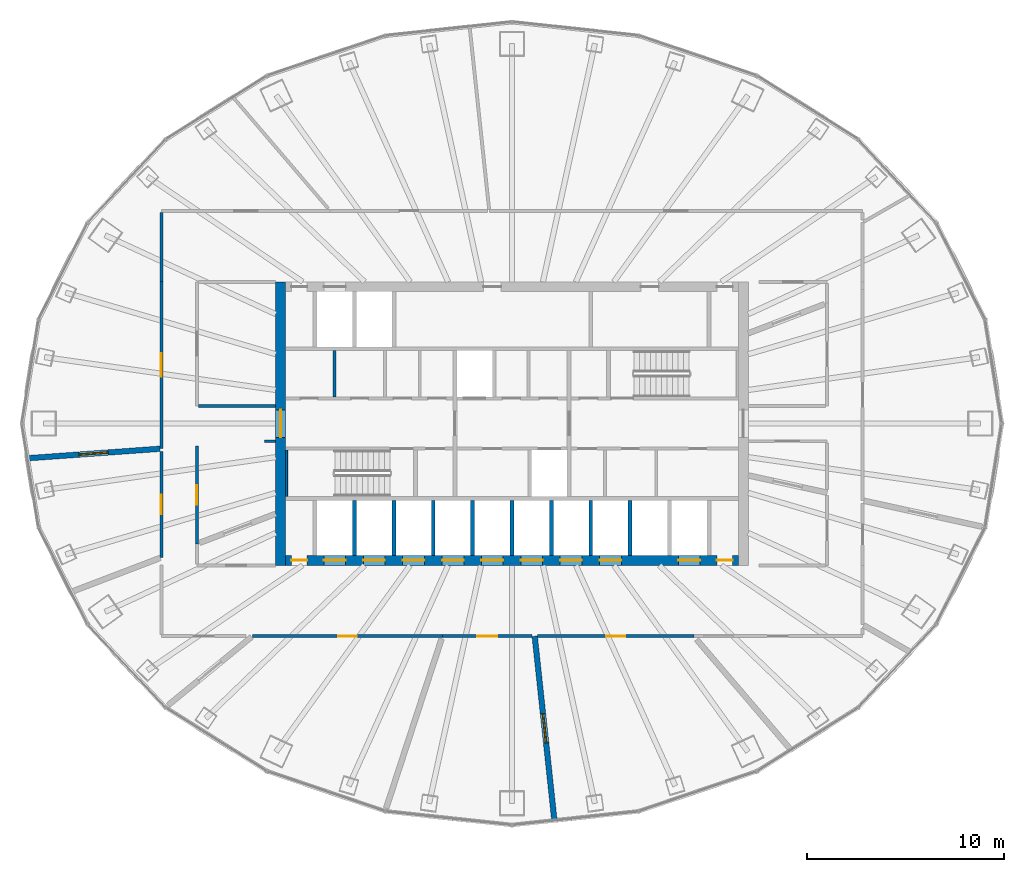
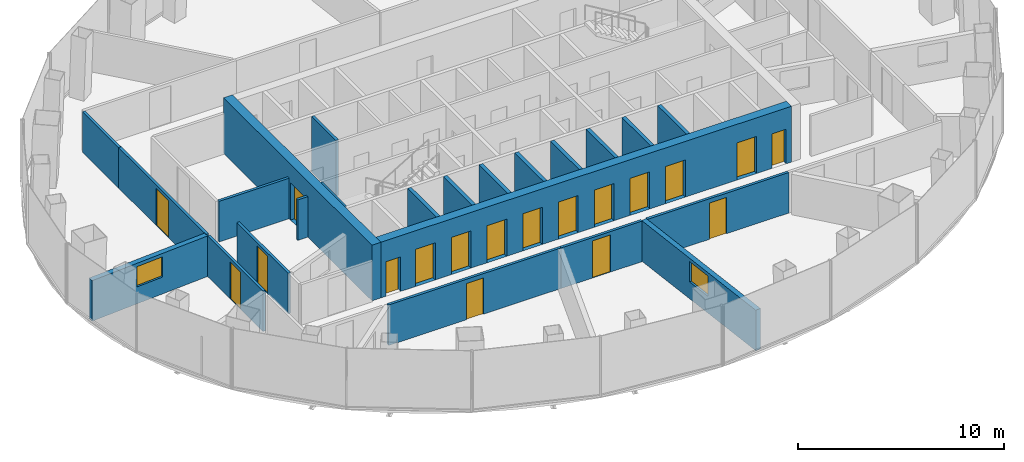
# One storey, part 8 of 12: 23 walls, 18 doors, 2 windows, 20 openings.
"""IFC4 building model written with IfcOpenShell, lengths in metres."""

import ifcopenshell
import ifcopenshell.guid

model = None  # the IFC model being written
_history = None  # IfcOwnerHistory: only IFC2X3 demands one
_inside = {}  # id of a spatial element -> (the spatial element, [elements in it])
_under = {}  # id of a project, library or spatial element -> (it, [spatial elements below it])
_declared = {}  # id of a project -> (the project, [libraries it declares])
_typed = {}  # id of a type object -> (the type object, [elements of that type])
_made_of = {}  # id of a material, layer set ... -> (it, [elements and type objects made of it])


def new_model(schema):
    """Start an empty IFC model of exactly this schema.

    Asked for "IFC4X3", IfcOpenShell would pick the latest addendum, in which some entities
    have other attributes; the version numbers below select the first issue.
    IFC2X3 requires an IfcOwnerHistory on every rooted entity: one is made here for all.
    """
    global model, _history
    if schema == "IFC4X3":
        model = ifcopenshell.file(schema_version=(4, 3, 0, 0))
    else:
        model = ifcopenshell.file(schema=schema)
    _inside.clear()
    _under.clear()
    _declared.clear()
    _typed.clear()
    _made_of.clear()
    _history = None
    if model.schema == "IFC2X3":
        org = make("IfcOrganization", Name="unknown")
        user = make(
            "IfcPersonAndOrganization",
            ThePerson=make("IfcPerson", FamilyName="unknown"),
            TheOrganization=org,
        )
        app = make(
            "IfcApplication",
            ApplicationDeveloper=org,
            Version="unknown",
            ApplicationFullName="unknown",
            ApplicationIdentifier="unknown",
        )
        _history = make(
            "IfcOwnerHistory",
            OwningUser=user,
            OwningApplication=app,
            ChangeAction="ADDED",
            CreationDate=0,
        )
    return model


def make(cls, **values):
    """One entity of the class cls with the attributes given. An attribute that is None is left unset."""
    return model.create_entity(
        cls, **{name: value for name, value in values.items() if value is not None}
    )


def rooted(cls, **values):
    """An entity with a GlobalId (a new one), such as an element, a storey or a relation."""
    return make(cls, GlobalId=ifcopenshell.guid.new(), OwnerHistory=_history, **values)


def si_unit(unit_type, name, prefix=None):
    """IfcSIUnit, for example si_unit("LENGTHUNIT", "METRE", prefix="MILLI")."""
    return make("IfcSIUnit", UnitType=unit_type, Prefix=prefix, Name=name)


def assignment(units):
    """IfcUnitAssignment: the units of a project."""
    return None if units is None else make("IfcUnitAssignment", Units=units)


def point(xyz):
    """IfcCartesianPoint."""
    return None if xyz is None else make("IfcCartesianPoint", Coordinates=xyz)


def direction(xyz):
    """IfcDirection."""
    return None if xyz is None else make("IfcDirection", DirectionRatios=xyz)


def frame(location, z_axis=None, x_axis=None):
    """IfcAxis2Placement3D, a coordinate frame: its origin and axes. An axis left out is left unset."""
    return make(
        "IfcAxis2Placement3D",
        Location=point(location),
        Axis=direction(z_axis),
        RefDirection=direction(x_axis),
    )


def frame_2d(location, x_axis=None):
    """IfcAxis2Placement2D, a coordinate frame in the plane: its origin and x axis."""
    return make(
        "IfcAxis2Placement2D", Location=point(location), RefDirection=direction(x_axis)
    )


def origin():
    """The frame at (0, 0, 0) with its axes left unset."""
    return frame((0.0, 0.0, 0.0))


def place(relative_to, where):
    """IfcLocalPlacement: puts the frame where relative to a parent placement (None: the world)."""
    return make(
        "IfcLocalPlacement", PlacementRelTo=relative_to, RelativePlacement=where
    )


def context(
    kind, dimensions, precision=None, world=None, true_north=None, identifier=None
):
    """IfcGeometricRepresentationContext, for example the 3D "Model" context."""
    return make(
        "IfcGeometricRepresentationContext",
        ContextIdentifier=identifier,
        ContextType=kind,
        CoordinateSpaceDimension=dimensions,
        Precision=precision,
        WorldCoordinateSystem=world,
        TrueNorth=true_north,
    )


def subcontext(parent, identifier, kind, view, scale=None):
    """IfcGeometricRepresentationSubContext, for example "Body" below "Model"."""
    return make(
        "IfcGeometricRepresentationSubContext",
        ContextIdentifier=identifier,
        ContextType=kind,
        ParentContext=parent,
        TargetScale=scale,
        TargetView=view,
    )


def project(units=None, contexts=None):
    """IfcProject with its units and contexts."""
    return rooted(
        "IfcProject",
        Name="project",
        RepresentationContexts=contexts,
        UnitsInContext=assignment(units),
    )


def spatial(cls, under=None, at=None, **own):
    """A site, building, storey or space (cls), placed at a placement, below another one or the project."""
    s = rooted(cls, ObjectPlacement=at, **own)
    if under is not None:
        _under.setdefault(under.id(), (under, []))[1].append(s)
    return s


def profile(cls, at=None, kind="AREA", **sizes):
    """A parametric profile (cls). Its sizes go by their IFC names, for example OverallWidth=200.0."""
    return make(cls, ProfileType=kind, Position=at, **sizes)


def rectangle(**sizes):
    """IfcRectangleProfileDef."""
    return profile("IfcRectangleProfileDef", **sizes)


def extrude(swept, where, along, depth):
    """IfcExtrudedAreaSolid: the profile swept, set in the frame where, extruded along a direction by depth."""
    return make(
        "IfcExtrudedAreaSolid",
        SweptArea=swept,
        Position=where,
        ExtrudedDirection=direction(along),
        Depth=depth,
    )


def shape(context_of_items, identifier, shape_type, items):
    """IfcShapeRepresentation: the items that make up one representation, for example the "Body"."""
    return make(
        "IfcShapeRepresentation",
        ContextOfItems=context_of_items,
        RepresentationIdentifier=identifier,
        RepresentationType=shape_type,
        Items=items,
    )


def material(Name=None, Category=None):
    """IfcMaterial."""
    return make("IfcMaterial", Name=Name, Category=Category)


def layer(
    of_material, thickness, ventilated=None, Name=None, Category=None, Priority=None
):
    """IfcMaterialLayer: one layer of a wall or slab, of a material (None: an air gap)."""
    return make(
        "IfcMaterialLayer",
        Material=of_material,
        LayerThickness=thickness,
        IsVentilated=ventilated,
        Name=Name,
        Category=Category,
        Priority=Priority,
    )


def layer_set(layers, Name=None):
    """IfcMaterialLayerSet."""
    return make("IfcMaterialLayerSet", MaterialLayers=layers, LayerSetName=Name)


def made_of(thing, what):
    """Note that an element or type object is made of a material, layer set ...; save() writes the relation."""
    if what is not None:
        _made_of.setdefault(what.id(), (what, []))[1].append(thing)
    return thing


def type_object(cls, material=None, **own):
    """A type object (cls), such as IfcWallType, which elements share."""
    return made_of(rooted(cls, **own), material)


def element(
    cls,
    number,
    at=None,
    inside=None,
    cuts=None,
    type_object=None,
    material=None,
    context=None,
    identifier="Body",
    shape_type=None,
    held_by="IfcProductDefinitionShape",
    body=None,
    shapes=None,
    **own,
):
    """One element of the class cls, such as IfcWall. Its Tag is "e" and its number.

    at: its placement. inside: the storey or other place that contains it. cuts: it is an
    opening in that element (IfcRelVoidsElement). A single representation is given by context,
    identifier, shape_type and body (its items); several are given by shapes. held_by: the class
    of the entity that holds the representations. save() writes the other relations.
    """
    e = rooted(cls, Tag="e%d" % number, ObjectPlacement=at, **own)
    if body is not None:
        shapes = [shape(context, identifier, shape_type, body)]
    if shapes is not None:
        e.Representation = make(held_by, Representations=shapes)
    if inside is not None:
        _inside.setdefault(inside.id(), (inside, []))[1].append(e)
    if cuts is not None:
        rooted(
            "IfcRelVoidsElement", RelatingBuildingElement=cuts, RelatedOpeningElement=e
        )
    if type_object is not None:
        _typed.setdefault(type_object.id(), (type_object, []))[1].append(e)
    return made_of(e, material)


def fill(opening, filler):
    """IfcRelFillsElement: the door or window that sits in an opening."""
    return rooted(
        "IfcRelFillsElement",
        RelatingOpeningElement=opening,
        RelatedBuildingElement=filler,
    )


def aggregate(whole, parts):
    """IfcRelAggregates: a whole, such as a stair, and the parts it consists of."""
    return rooted("IfcRelAggregates", RelatingObject=whole, RelatedObjects=parts)


def save(model, path):
    """Write the relations noted so far, then the file.

    IfcRelAggregates (storeys below a building ...), IfcRelContainedInSpatialStructure (elements
    in a storey), IfcRelDefinesByType, IfcRelAssociatesMaterial and IfcRelDeclares: one each for
    every whole, place, type object, material and project.
    """
    for whole, parts in _under.values():
        aggregate(whole, parts)
    for where, things in _inside.values():
        rooted(
            "IfcRelContainedInSpatialStructure",
            RelatedElements=things,
            RelatingStructure=where,
        )
    for kind, things in _typed.values():
        rooted("IfcRelDefinesByType", RelatedObjects=things, RelatingType=kind)
    for what, things in _made_of.values():
        rooted("IfcRelAssociatesMaterial", RelatedObjects=things, RelatingMaterial=what)
    for by, libraries in _declared.values():
        rooted("IfcRelDeclares", RelatingContext=by, RelatedDefinitions=libraries)
    model.write(path)


model = new_model("IFC4")

# Units and contexts
model_context = context("Model", 3, precision=1e-05, world=origin(), true_north=direction((0.0, 1.0)))
body_context = subcontext(model_context, "Body", "Model", "MODEL_VIEW")
ifc_project = project(units=[si_unit("LENGTHUNIT", "METRE"), si_unit("AREAUNIT", "SQUARE_METRE"), si_unit("VOLUMEUNIT", "CUBIC_METRE"), si_unit("PLANEANGLEUNIT", "RADIAN"), si_unit("MASSUNIT", "GRAM", prefix="KILO")], contexts=[model_context])

# Site, building, storey
site_placement = place(None, origin())
site = spatial("IfcSite", under=ifc_project, at=site_placement, CompositionType="ELEMENT")
building_placement = place(site_placement, origin())
building = spatial("IfcBuilding", under=site, at=building_placement, Name="Siaravel Broadcast Tower", CompositionType="ELEMENT")
storey_placement = place(building_placement, frame((0.0, 0.0, 134.10009765625)))
storey = spatial("IfcBuildingStorey", under=building, at=storey_placement, Name="L32", CompositionType="ELEMENT", Elevation=134.10009765625)

# Wall, opening, window
ifc_material_1 = material(Name="Double-leaf acoustic partition", Category="gypsum")
ifc_layer_1 = layer(ifc_material_1, 0.280029296875)
ifc_layer_set_1 = layer_set([ifc_layer_1], Name="Double-leaf acoustic partition")
wall_type_1 = type_object("IfcWallType", Name="Acoustic double-leaf wall 280", PredefinedType="PARTITIONING", material=ifc_layer_set_1)
wall_1_placement = place(storey_placement, frame((2.152099609375, -20.147705078125, 0.0), z_axis=(0.0, 0.0, 1.0), x_axis=(-0.106217678, 0.994342901, 0.0)))
wall_1 = element("IfcWall", 1, at=wall_1_placement, inside=storey, type_object=wall_type_1, Name="L32 partition 5", PredefinedType="PARTITIONING", context=body_context, shape_type="SweptSolid", body=[
    extrude(rectangle(XDim=9.40087890625, YDim=0.280029296875, at=frame_2d((4.700439453125, 0.0))), origin(), (0.0, 0.0, 1.0), 2.39990234375),
])
opening_1_placement = place(wall_1_placement, frame((3.950439453125, 0.0, 1.0)))
opening_1 = element("IfcOpeningElement", 2, at=opening_1_placement, cuts=wall_1, Name="Opening L32-W04", PredefinedType="OPENING", context=body_context, shape_type="SweptSolid", body=[
    extrude(rectangle(XDim=1.5, YDim=1.199951171875, at=frame_2d((0.75, 0.60009765625))), frame((0.0, 0.14990234375, 0.0), z_axis=(0.0, -1.0, 0.0), x_axis=(1.0, 0.0, 0.0)), (0.0, 0.0, 1.0), 0.300048828125),
])
ifc_material_2 = material(Name="Laminated acoustic glass", Category="glass")
window_type = type_object("IfcWindowType", Name="Studio viewing window 1500", PartitioningType="SINGLE_PANEL", PredefinedType="WINDOW", material=ifc_material_2)
window_1_placement = place(opening_1_placement, origin())
window_1 = element("IfcWindow", 3, at=window_1_placement, inside=storey, type_object=window_type, Name="L32 viewing window to Viewing theatre", OverallHeight=1.199951171875, OverallWidth=1.5, PartitioningType="SINGLE_PANEL", PredefinedType="WINDOW", context=body_context, shape_type="SweptSolid", body=[
    extrude(rectangle(XDim=1.5, YDim=1.199951171875, at=frame_2d((0.75, 0.60009765625))), frame((0.0, 0.030029296875, 0.0), z_axis=(0.0, -1.0, 0.0), x_axis=(1.0, 0.0, 0.0)), (0.0, 0.0, 1.0), 0.06005859375),
])
fill(opening_1, window_1)

wall_2_placement = place(storey_placement, frame((-24.622314453125, -1.764404296875, 0.0), z_axis=(0.0, 0.0, 1.0), x_axis=(0.997442181, 0.071477941, 0.0)))
wall_2 = element("IfcWall", 4, at=wall_2_placement, inside=storey, type_object=wall_type_1, Name="L32 partition 14", PredefinedType="PARTITIONING", context=body_context, shape_type="SweptSolid", body=[
    extrude(rectangle(XDim=6.762939453125, YDim=0.280029296875, at=frame_2d((3.38134765625, 0.0))), origin(), (0.0, 0.0, 1.0), 2.39990234375),
])
opening_2_placement = place(wall_2_placement, frame((2.631591796875, 0.0, 1.0)))
opening_2 = element("IfcOpeningElement", 5, at=opening_2_placement, cuts=wall_2, Name="Opening L32-W01", PredefinedType="OPENING", context=body_context, shape_type="SweptSolid", body=[
    extrude(rectangle(XDim=1.5, YDim=1.199951171875, at=frame_2d((0.75, 0.60009765625))), frame((0.0, 0.14990234375, 0.0), z_axis=(0.0, -1.0, 0.0), x_axis=(1.0, 0.0, 0.0)), (0.0, 0.0, 1.0), 0.300048828125),
])
window_2_placement = place(opening_2_placement, origin())
window_2 = element("IfcWindow", 6, at=window_2_placement, inside=storey, type_object=window_type, Name="L32 viewing window to Post-production room", OverallHeight=1.199951171875, OverallWidth=1.5, PartitioningType="SINGLE_PANEL", PredefinedType="WINDOW", context=body_context, shape_type="SweptSolid", body=[
    extrude(rectangle(XDim=1.5, YDim=1.199951171875, at=frame_2d((0.75, 0.60009765625))), frame((0.0, 0.030029296875, 0.0), z_axis=(0.0, -1.0, 0.0), x_axis=(1.0, 0.0, 0.0)), (0.0, 0.0, 1.0), 0.06005859375),
])
fill(opening_2, window_2)

# Wall
ifc_material_3 = material(Name="Concrete blockwork", Category="masonry")
ifc_layer_2 = layer(ifc_material_3, 0.14990234375)
ifc_layer_set_2 = layer_set([ifc_layer_2], Name="Concrete blockwork")
wall_type_2 = type_object("IfcWallType", Name="Core partition 150", PredefinedType="PARTITIONING", material=ifc_layer_set_2)
wall_3_placement = place(storey_placement, frame((-9.010009765625, 1.35009765625, 0.0), z_axis=(0.0, 0.0, 1.0), x_axis=(0.0, 1.0, 0.0)))
element("IfcWall", 7, at=wall_3_placement, inside=storey, type_object=wall_type_2, Name="L32 core partition PNW0", PredefinedType="PARTITIONING", context=body_context, shape_type="SweptSolid", body=[
    extrude(rectangle(XDim=2.349853515625, YDim=0.14990234375, at=frame_2d((1.1748046875, 0.0))), origin(), (0.0, 0.0, 1.0), 3.2998046875),
])

# Wall, opening, door
ifc_material_4 = material(Name="Concrete C60/75", Category="concrete")
ifc_layer_3 = layer(ifc_material_4, 0.5)
ifc_layer_set_3 = layer_set([ifc_layer_3], Name="Concrete C60/75")
wall_type_3 = type_object("IfcWallType", Name="Core wall 500", PredefinedType="SHEAR", material=ifc_layer_set_3)
wall_4_placement = place(storey_placement, frame((-11.75, -7.199951171875, 0.0), z_axis=(0.0, 0.0, 1.0), x_axis=(0.0, 1.0, 0.0)))
wall_4 = element("IfcWall", 8, at=wall_4_placement, inside=storey, type_object=wall_type_3, Name="L32 core wall OW", PredefinedType="SHEAR", context=body_context, shape_type="SweptSolid", body=[
    extrude(rectangle(XDim=14.39990234375, YDim=0.5, at=frame_2d((7.199951171875, 0.0))), origin(), (0.0, 0.0, 1.0), 3.2998046875),
])
opening_3_placement = place(wall_4_placement, frame((6.5, 0.0, 0.0)))
opening_3 = element("IfcOpeningElement", 9, at=opening_3_placement, cuts=wall_4, Name="Opening L32-DX-W", PredefinedType="OPENING", context=body_context, shape_type="SweptSolid", body=[
    extrude(rectangle(XDim=1.39990234375, YDim=2.199951171875, at=frame_2d((0.699951171875, 1.10009765625))), frame((0.0, 0.260009765625, 0.0), z_axis=(0.0, -1.0, 0.0), x_axis=(1.0, 0.0, 0.0)), (0.0, 0.0, 1.0), 0.52001953125),
])
ifc_material_5 = material(Name="Steel", Category="steel")
door_type_1 = type_object("IfcDoorType", Name="Core exit door 1400", OperationType="DOUBLE_DOOR_SINGLE_SWING", PredefinedType="DOOR", material=ifc_material_5)
door_1_placement = place(opening_3_placement, origin())
door_1 = element("IfcDoor", 10, at=door_1_placement, inside=storey, type_object=door_type_1, Name="L32 door DX-W", OperationType="DOUBLE_DOOR_SINGLE_SWING", OverallHeight=2.199951171875, OverallWidth=1.39990234375, PredefinedType="DOOR", context=body_context, shape_type="SweptSolid", body=[
    extrude(rectangle(XDim=1.39990234375, YDim=2.199951171875, at=frame_2d((0.699951171875, 1.10009765625))), frame((0.0, 0.02490234375, 0.0), z_axis=(0.0, -1.0, 0.0), x_axis=(1.0, 0.0, 0.0)), (0.0, 0.0, 1.0), 0.050048828125),
])
fill(opening_3, door_1)

# Wall, openings, doors
wall_5_placement = place(storey_placement, frame((-11.5, -6.949951171875, 0.0), z_axis=(0.0, 0.0, 1.0), x_axis=(1.0, 0.0, 0.0)))
wall_5 = element("IfcWall", 11, at=wall_5_placement, inside=storey, type_object=wall_type_3, Name="L32 core wall OS", PredefinedType="SHEAR", context=body_context, shape_type="SweptSolid", body=[
    extrude(rectangle(XDim=23.0, YDim=0.5, at=frame_2d((11.5, 0.0))), origin(), (0.0, 0.0, 1.0), 3.2998046875),
])
opening_4_placement = place(wall_5_placement, frame((1.949951171875, 0.0, 0.0)))
opening_4 = element("IfcOpeningElement", 12, at=opening_4_placement, cuts=wall_5, Name="Opening LD-LP1-L32", PredefinedType="OPENING", context=body_context, shape_type="SweptSolid", body=[
    extrude(rectangle(XDim=1.10009765625, YDim=2.199951171875, at=frame_2d((0.550048828125, 1.10009765625))), frame((0.0, 0.260009765625, 0.0), z_axis=(0.0, -1.0, 0.0), x_axis=(1.0, 0.0, 0.0)), (0.0, 0.0, 1.0), 0.52001953125),
])
opening_5_placement = place(wall_5_placement, frame((3.949951171875, 0.0, 0.0)))
opening_5 = element("IfcOpeningElement", 13, at=opening_5_placement, cuts=wall_5, Name="Opening LD-LP2-L32", PredefinedType="OPENING", context=body_context, shape_type="SweptSolid", body=[
    extrude(rectangle(XDim=1.10009765625, YDim=2.199951171875, at=frame_2d((0.550048828125, 1.10009765625))), frame((0.0, 0.260009765625, 0.0), z_axis=(0.0, -1.0, 0.0), x_axis=(1.0, 0.0, 0.0)), (0.0, 0.0, 1.0), 0.52001953125),
])
opening_6_placement = place(wall_5_placement, frame((5.949951171875, 0.0, 0.0)))
opening_6 = element("IfcOpeningElement", 14, at=opening_6_placement, cuts=wall_5, Name="Opening LD-LP3-L32", PredefinedType="OPENING", context=body_context, shape_type="SweptSolid", body=[
    extrude(rectangle(XDim=1.10009765625, YDim=2.199951171875, at=frame_2d((0.550048828125, 1.10009765625))), frame((0.0, 0.260009765625, 0.0), z_axis=(0.0, -1.0, 0.0), x_axis=(1.0, 0.0, 0.0)), (0.0, 0.0, 1.0), 0.52001953125),
])
opening_7_placement = place(wall_5_placement, frame((7.949951171875, 0.0, 0.0)))
opening_7 = element("IfcOpeningElement", 15, at=opening_7_placement, cuts=wall_5, Name="Opening LD-LP4-L32", PredefinedType="OPENING", context=body_context, shape_type="SweptSolid", body=[
    extrude(rectangle(XDim=1.10009765625, YDim=2.199951171875, at=frame_2d((0.550048828125, 1.10009765625))), frame((0.0, 0.260009765625, 0.0), z_axis=(0.0, -1.0, 0.0), x_axis=(1.0, 0.0, 0.0)), (0.0, 0.0, 1.0), 0.52001953125),
])
opening_8_placement = place(wall_5_placement, frame((9.949951171875, 0.0, 0.0)))
opening_8 = element("IfcOpeningElement", 16, at=opening_8_placement, cuts=wall_5, Name="Opening LD-LP5-L32", PredefinedType="OPENING", context=body_context, shape_type="SweptSolid", body=[
    extrude(rectangle(XDim=1.10009765625, YDim=2.199951171875, at=frame_2d((0.550048828125, 1.10009765625))), frame((0.0, 0.260009765625, 0.0), z_axis=(0.0, -1.0, 0.0), x_axis=(1.0, 0.0, 0.0)), (0.0, 0.0, 1.0), 0.52001953125),
])
opening_9_placement = place(wall_5_placement, frame((11.949951171875, 0.0, 0.0)))
opening_9 = element("IfcOpeningElement", 17, at=opening_9_placement, cuts=wall_5, Name="Opening LD-LP6-L32", PredefinedType="OPENING", context=body_context, shape_type="SweptSolid", body=[
    extrude(rectangle(XDim=1.10009765625, YDim=2.199951171875, at=frame_2d((0.550048828125, 1.10009765625))), frame((0.0, 0.260009765625, 0.0), z_axis=(0.0, -1.0, 0.0), x_axis=(1.0, 0.0, 0.0)), (0.0, 0.0, 1.0), 0.52001953125),
])
opening_10_placement = place(wall_5_placement, frame((13.949951171875, 0.0, 0.0)))
opening_10 = element("IfcOpeningElement", 18, at=opening_10_placement, cuts=wall_5, Name="Opening LD-LP7-L32", PredefinedType="OPENING", context=body_context, shape_type="SweptSolid", body=[
    extrude(rectangle(XDim=1.10009765625, YDim=2.199951171875, at=frame_2d((0.550048828125, 1.10009765625))), frame((0.0, 0.260009765625, 0.0), z_axis=(0.0, -1.0, 0.0), x_axis=(1.0, 0.0, 0.0)), (0.0, 0.0, 1.0), 0.52001953125),
])
opening_11_placement = place(wall_5_placement, frame((15.949951171875, 0.0, 0.0)))
opening_11 = element("IfcOpeningElement", 19, at=opening_11_placement, cuts=wall_5, Name="Opening LD-LP8-L32", PredefinedType="OPENING", context=body_context, shape_type="SweptSolid", body=[
    extrude(rectangle(XDim=1.10009765625, YDim=2.199951171875, at=frame_2d((0.550048828125, 1.10009765625))), frame((0.0, 0.260009765625, 0.0), z_axis=(0.0, -1.0, 0.0), x_axis=(1.0, 0.0, 0.0)), (0.0, 0.0, 1.0), 0.52001953125),
])
opening_12_placement = place(wall_5_placement, frame((19.949951171875, 0.0, 0.0)))
opening_12 = element("IfcOpeningElement", 20, at=opening_12_placement, cuts=wall_5, Name="Opening LD-SV1-L32", PredefinedType="OPENING", context=body_context, shape_type="SweptSolid", body=[
    extrude(rectangle(XDim=1.10009765625, YDim=2.199951171875, at=frame_2d((0.550048828125, 1.10009765625))), frame((0.0, 0.260009765625, 0.0), z_axis=(0.0, -1.0, 0.0), x_axis=(1.0, 0.0, 0.0)), (0.0, 0.0, 1.0), 0.52001953125),
])
opening_13_placement = place(wall_5_placement, frame((0.300048828125, 0.0, 0.0)))
opening_13 = element("IfcOpeningElement", 21, at=opening_13_placement, cuts=wall_5, Name="Opening L32-DRSW", PredefinedType="OPENING", context=body_context, shape_type="SweptSolid", body=[
    extrude(rectangle(XDim=0.800048828125, YDim=2.050048828125, at=frame_2d((0.39990234375, 1.02490234375))), frame((0.0, 0.260009765625, 0.0), z_axis=(0.0, -1.0, 0.0), x_axis=(1.0, 0.0, 0.0)), (0.0, 0.0, 1.0), 0.52001953125),
])
opening_14_placement = place(wall_5_placement, frame((21.89990234375, 0.0, 0.0)))
opening_14 = element("IfcOpeningElement", 22, at=opening_14_placement, cuts=wall_5, Name="Opening L32-DRSE", PredefinedType="OPENING", context=body_context, shape_type="SweptSolid", body=[
    extrude(rectangle(XDim=0.800048828125, YDim=2.050048828125, at=frame_2d((0.39990234375, 1.02490234375))), frame((0.0, 0.260009765625, 0.0), z_axis=(0.0, -1.0, 0.0), x_axis=(1.0, 0.0, 0.0)), (0.0, 0.0, 1.0), 0.52001953125),
])
ifc_material_6 = material(Name="Stainless steel 316L", Category="steel")
door_type_2 = type_object("IfcDoorType", Name="Lift landing door 1100", OperationType="DOUBLE_DOOR_SLIDING", PredefinedType="DOOR", material=ifc_material_6)
door_2_placement = place(opening_4_placement, origin())
door_2 = element("IfcDoor", 23, at=door_2_placement, inside=storey, type_object=door_type_2, Name="Landing door LP1 L32", OperationType="DOUBLE_DOOR_SLIDING", OverallHeight=2.199951171875, OverallWidth=1.10009765625, PredefinedType="DOOR", context=body_context, shape_type="SweptSolid", body=[
    extrude(rectangle(XDim=1.10009765625, YDim=2.199951171875, at=frame_2d((0.550048828125, 1.10009765625))), frame((0.0, 0.02490234375, 0.0), z_axis=(0.0, -1.0, 0.0), x_axis=(1.0, 0.0, 0.0)), (0.0, 0.0, 1.0), 0.050048828125),
])
fill(opening_4, door_2)
door_3_placement = place(opening_5_placement, origin())
door_3 = element("IfcDoor", 24, at=door_3_placement, inside=storey, type_object=door_type_2, Name="Landing door LP2 L32", OperationType="DOUBLE_DOOR_SLIDING", OverallHeight=2.199951171875, OverallWidth=1.10009765625, PredefinedType="DOOR", context=body_context, shape_type="SweptSolid", body=[
    extrude(rectangle(XDim=1.10009765625, YDim=2.199951171875, at=frame_2d((0.550048828125, 1.10009765625))), frame((0.0, 0.02490234375, 0.0), z_axis=(0.0, -1.0, 0.0), x_axis=(1.0, 0.0, 0.0)), (0.0, 0.0, 1.0), 0.050048828125),
])
fill(opening_5, door_3)
door_4_placement = place(opening_6_placement, origin())
door_4 = element("IfcDoor", 25, at=door_4_placement, inside=storey, type_object=door_type_2, Name="Landing door LP3 L32", OperationType="DOUBLE_DOOR_SLIDING", OverallHeight=2.199951171875, OverallWidth=1.10009765625, PredefinedType="DOOR", context=body_context, shape_type="SweptSolid", body=[
    extrude(rectangle(XDim=1.10009765625, YDim=2.199951171875, at=frame_2d((0.550048828125, 1.10009765625))), frame((0.0, 0.02490234375, 0.0), z_axis=(0.0, -1.0, 0.0), x_axis=(1.0, 0.0, 0.0)), (0.0, 0.0, 1.0), 0.050048828125),
])
fill(opening_6, door_4)
door_5_placement = place(opening_7_placement, origin())
door_5 = element("IfcDoor", 26, at=door_5_placement, inside=storey, type_object=door_type_2, Name="Landing door LP4 L32", OperationType="DOUBLE_DOOR_SLIDING", OverallHeight=2.199951171875, OverallWidth=1.10009765625, PredefinedType="DOOR", context=body_context, shape_type="SweptSolid", body=[
    extrude(rectangle(XDim=1.10009765625, YDim=2.199951171875, at=frame_2d((0.550048828125, 1.10009765625))), frame((0.0, 0.02490234375, 0.0), z_axis=(0.0, -1.0, 0.0), x_axis=(1.0, 0.0, 0.0)), (0.0, 0.0, 1.0), 0.050048828125),
])
fill(opening_7, door_5)
door_6_placement = place(opening_8_placement, origin())
door_6 = element("IfcDoor", 27, at=door_6_placement, inside=storey, type_object=door_type_2, Name="Landing door LP5 L32", OperationType="DOUBLE_DOOR_SLIDING", OverallHeight=2.199951171875, OverallWidth=1.10009765625, PredefinedType="DOOR", context=body_context, shape_type="SweptSolid", body=[
    extrude(rectangle(XDim=1.10009765625, YDim=2.199951171875, at=frame_2d((0.550048828125, 1.10009765625))), frame((0.0, 0.02490234375, 0.0), z_axis=(0.0, -1.0, 0.0), x_axis=(1.0, 0.0, 0.0)), (0.0, 0.0, 1.0), 0.050048828125),
])
fill(opening_8, door_6)
door_7_placement = place(opening_9_placement, origin())
door_7 = element("IfcDoor", 28, at=door_7_placement, inside=storey, type_object=door_type_2, Name="Landing door LP6 L32", OperationType="DOUBLE_DOOR_SLIDING", OverallHeight=2.199951171875, OverallWidth=1.10009765625, PredefinedType="DOOR", context=body_context, shape_type="SweptSolid", body=[
    extrude(rectangle(XDim=1.10009765625, YDim=2.199951171875, at=frame_2d((0.550048828125, 1.10009765625))), frame((0.0, 0.02490234375, 0.0), z_axis=(0.0, -1.0, 0.0), x_axis=(1.0, 0.0, 0.0)), (0.0, 0.0, 1.0), 0.050048828125),
])
fill(opening_9, door_7)
door_8_placement = place(opening_10_placement, origin())
door_8 = element("IfcDoor", 29, at=door_8_placement, inside=storey, type_object=door_type_2, Name="Landing door LP7 L32", OperationType="DOUBLE_DOOR_SLIDING", OverallHeight=2.199951171875, OverallWidth=1.10009765625, PredefinedType="DOOR", context=body_context, shape_type="SweptSolid", body=[
    extrude(rectangle(XDim=1.10009765625, YDim=2.199951171875, at=frame_2d((0.550048828125, 1.10009765625))), frame((0.0, 0.02490234375, 0.0), z_axis=(0.0, -1.0, 0.0), x_axis=(1.0, 0.0, 0.0)), (0.0, 0.0, 1.0), 0.050048828125),
])
fill(opening_10, door_8)
door_9_placement = place(opening_11_placement, origin())
door_9 = element("IfcDoor", 30, at=door_9_placement, inside=storey, type_object=door_type_2, Name="Landing door LP8 L32", OperationType="DOUBLE_DOOR_SLIDING", OverallHeight=2.199951171875, OverallWidth=1.10009765625, PredefinedType="DOOR", context=body_context, shape_type="SweptSolid", body=[
    extrude(rectangle(XDim=1.10009765625, YDim=2.199951171875, at=frame_2d((0.550048828125, 1.10009765625))), frame((0.0, 0.02490234375, 0.0), z_axis=(0.0, -1.0, 0.0), x_axis=(1.0, 0.0, 0.0)), (0.0, 0.0, 1.0), 0.050048828125),
])
fill(opening_11, door_9)
door_type_3 = type_object("IfcDoorType", Name="Riser door 800", OperationType="SINGLE_SWING_LEFT", PredefinedType="DOOR", material=ifc_material_5)
door_10_placement = place(opening_13_placement, origin())
door_10 = element("IfcDoor", 31, at=door_10_placement, inside=storey, type_object=door_type_3, Name="L32 door DRSW", OperationType="SINGLE_SWING_LEFT", OverallHeight=2.050048828125, OverallWidth=0.800048828125, PredefinedType="DOOR", context=body_context, shape_type="SweptSolid", body=[
    extrude(rectangle(XDim=0.800048828125, YDim=2.050048828125, at=frame_2d((0.39990234375, 1.02490234375))), frame((0.0, 0.02490234375, 0.0), z_axis=(0.0, -1.0, 0.0), x_axis=(1.0, 0.0, 0.0)), (0.0, 0.0, 1.0), 0.050048828125),
])
fill(opening_13, door_10)
door_11_placement = place(opening_14_placement, origin())
door_11 = element("IfcDoor", 32, at=door_11_placement, inside=storey, type_object=door_type_3, Name="L32 door DRSE", OperationType="SINGLE_SWING_LEFT", OverallHeight=2.050048828125, OverallWidth=0.800048828125, PredefinedType="DOOR", context=body_context, shape_type="SweptSolid", body=[
    extrude(rectangle(XDim=0.800048828125, YDim=2.050048828125, at=frame_2d((0.39990234375, 1.02490234375))), frame((0.0, 0.02490234375, 0.0), z_axis=(0.0, -1.0, 0.0), x_axis=(1.0, 0.0, 0.0)), (0.0, 0.0, 1.0), 0.050048828125),
])
fill(opening_14, door_11)
door_type_4 = type_object("IfcDoorType", Name="Service lift landing door 1100", OperationType="DOUBLE_DOOR_SLIDING", PredefinedType="DOOR", material=ifc_material_6)
door_12_placement = place(opening_12_placement, origin())
door_12 = element("IfcDoor", 33, at=door_12_placement, inside=storey, type_object=door_type_4, Name="Landing door SV1 L32", OperationType="DOUBLE_DOOR_SLIDING", OverallHeight=2.199951171875, OverallWidth=1.10009765625, PredefinedType="DOOR", context=body_context, shape_type="SweptSolid", body=[
    extrude(rectangle(XDim=1.10009765625, YDim=2.199951171875, at=frame_2d((0.550048828125, 1.10009765625))), frame((0.0, 0.02490234375, 0.0), z_axis=(0.0, -1.0, 0.0), x_axis=(1.0, 0.0, 0.0)), (0.0, 0.0, 1.0), 0.050048828125),
])
fill(opening_12, door_12)

# Wall, opening, door
ifc_material_7 = material(Name="Gypsum board partition", Category="gypsum")
ifc_layer_4 = layer(ifc_material_7, 0.14990234375)
ifc_layer_set_4 = layer_set([ifc_layer_4], Name="Gypsum board partition")
wall_type_4 = type_object("IfcWallType", Name="Corridor wall 150", PredefinedType="PARTITIONING", material=ifc_layer_set_4)
wall_6_placement = place(storey_placement, frame((-13.184814453125, -10.800048828125, 0.0), z_axis=(0.0, 0.0, 1.0), x_axis=(1.0, 0.0, 0.0)))
wall_6 = element("IfcWall", 34, at=wall_6_placement, inside=storey, type_object=wall_type_4, Name="L32 partition 3", PredefinedType="PARTITIONING", context=body_context, shape_type="SweptSolid", body=[
    extrude(rectangle(XDim=9.65185546875, YDim=0.14990234375, at=frame_2d((4.825927734375, 0.0))), origin(), (0.0, 0.0, 1.0), 2.39990234375),
])
opening_15_placement = place(wall_6_placement, frame((4.35107421875, 0.0, 0.0)))
opening_15 = element("IfcOpeningElement", 35, at=opening_15_placement, cuts=wall_6, Name="Opening L32-010", PredefinedType="OPENING", context=body_context, shape_type="SweptSolid", body=[
    extrude(rectangle(XDim=0.949951171875, YDim=2.14990234375, at=frame_2d((0.47509765625, 1.074951171875))), frame((0.0, 0.0849609375, 0.0), z_axis=(0.0, -1.0, 0.0), x_axis=(1.0, 0.0, 0.0)), (0.0, 0.0, 1.0), 0.169921875),
])
ifc_material_8 = material(Name="Timber veneer", Category="wood")
door_type_5 = type_object("IfcDoorType", Name="Office door 950", OperationType="SINGLE_SWING_LEFT", PredefinedType="DOOR", material=ifc_material_8)
door_13_placement = place(opening_15_placement, origin())
door_13 = element("IfcDoor", 36, at=door_13_placement, inside=storey, type_object=door_type_5, Name="L32 door to Design studio", OperationType="SINGLE_SWING_RIGHT", OverallHeight=2.14990234375, OverallWidth=0.949951171875, PredefinedType="DOOR", context=body_context, shape_type="SweptSolid", body=[
    extrude(rectangle(XDim=0.949951171875, YDim=2.14990234375, at=frame_2d((0.47509765625, 1.074951171875))), frame((0.0, 0.02490234375, 0.0), z_axis=(0.0, -1.0, 0.0), x_axis=(1.0, 0.0, 0.0)), (0.0, 0.0, 1.0), 0.050048828125),
])
fill(opening_15, door_13)

wall_7_placement = place(storey_placement, frame((-17.800048828125, 7.2119140625, 0.0), z_axis=(0.0, 0.0, 1.0), x_axis=(0.0, -1.0, 0.0)))
wall_7 = element("IfcWall", 37, at=wall_7_placement, inside=storey, type_object=wall_type_4, Name="L32 partition 9", PredefinedType="PARTITIONING", context=body_context, shape_type="SweptSolid", body=[
    extrude(rectangle(XDim=8.487548828125, YDim=0.14990234375, at=frame_2d((4.24365234375, 0.0))), origin(), (0.0, 0.0, 1.0), 2.39990234375),
])
opening_16_placement = place(wall_7_placement, frame((3.643798828125, 0.0, 0.0)))
opening_16 = element("IfcOpeningElement", 38, at=opening_16_placement, cuts=wall_7, Name="Opening L32-004", PredefinedType="OPENING", context=body_context, shape_type="SweptSolid", body=[
    extrude(rectangle(XDim=1.199951171875, YDim=2.199951171875, at=frame_2d((0.60009765625, 1.10009765625))), frame((0.0, 0.0849609375, 0.0), z_axis=(0.0, -1.0, 0.0), x_axis=(1.0, 0.0, 0.0)), (0.0, 0.0, 1.0), 0.169921875),
])
door_type_6 = type_object("IfcDoorType", Name="Office double door 1200", OperationType="DOUBLE_DOOR_SINGLE_SWING", PredefinedType="DOOR", material=ifc_material_8)
door_14_placement = place(opening_16_placement, origin())
door_14 = element("IfcDoor", 39, at=door_14_placement, inside=storey, type_object=door_type_6, Name="L32 door to Open plan production office", OperationType="DOUBLE_DOOR_SINGLE_SWING", OverallHeight=2.199951171875, OverallWidth=1.199951171875, PredefinedType="DOOR", context=body_context, shape_type="SweptSolid", body=[
    extrude(rectangle(XDim=1.199951171875, YDim=2.199951171875, at=frame_2d((0.60009765625, 1.10009765625))), frame((0.0, 0.02490234375, 0.0), z_axis=(0.0, -1.0, 0.0), x_axis=(1.0, 0.0, 0.0)), (0.0, 0.0, 1.0), 0.050048828125),
])
fill(opening_16, door_14)

wall_8_placement = place(storey_placement, frame((1.304443359375, -10.800048828125, 0.0), z_axis=(0.0, 0.0, 1.0), x_axis=(1.0, 0.0, 0.0)))
wall_8 = element("IfcWall", 40, at=wall_8_placement, inside=storey, type_object=wall_type_4, Name="L32 partition 11", PredefinedType="PARTITIONING", context=body_context, shape_type="SweptSolid", body=[
    extrude(rectangle(XDim=7.9267578125, YDim=0.14990234375, at=frame_2d((3.96337890625, 0.0))), origin(), (0.0, 0.0, 1.0), 2.39990234375),
])
opening_17_placement = place(wall_8_placement, frame((3.48828125, 0.0, 0.0)))
opening_17 = element("IfcOpeningElement", 41, at=opening_17_placement, cuts=wall_8, Name="Opening L32-012", PredefinedType="OPENING", context=body_context, shape_type="SweptSolid", body=[
    extrude(rectangle(XDim=0.949951171875, YDim=2.14990234375, at=frame_2d((0.47509765625, 1.074951171875))), frame((0.0, 0.0849609375, 0.0), z_axis=(0.0, -1.0, 0.0), x_axis=(1.0, 0.0, 0.0)), (0.0, 0.0, 1.0), 0.169921875),
])
door_15_placement = place(opening_17_placement, origin())
door_15 = element("IfcDoor", 42, at=door_15_placement, inside=storey, type_object=door_type_5, Name="L32 door to Design studio", OperationType="SINGLE_SWING_RIGHT", OverallHeight=2.14990234375, OverallWidth=0.949951171875, PredefinedType="DOOR", context=body_context, shape_type="SweptSolid", body=[
    extrude(rectangle(XDim=0.949951171875, YDim=2.14990234375, at=frame_2d((0.47509765625, 1.074951171875))), frame((0.0, 0.02490234375, 0.0), z_axis=(0.0, -1.0, 0.0), x_axis=(1.0, 0.0, 0.0)), (0.0, 0.0, 1.0), 0.050048828125),
])
fill(opening_17, door_15)

wall_9_placement = place(storey_placement, frame((-17.800048828125, -1.42333984375, 0.0), z_axis=(0.0, 0.0, 1.0), x_axis=(0.0, -1.0, 0.0)))
wall_9 = element("IfcWall", 43, at=wall_9_placement, inside=storey, type_object=wall_type_4, Name="L32 partition 18", PredefinedType="PARTITIONING", context=body_context, shape_type="SweptSolid", body=[
    extrude(rectangle(XDim=5.37548828125, YDim=0.14990234375, at=frame_2d((2.687744140625, 0.0))), origin(), (0.0, 0.0, 1.0), 2.39990234375),
])
opening_18_placement = place(wall_9_placement, frame((2.187744140625, 0.0, 0.0)))
opening_18 = element("IfcOpeningElement", 44, at=opening_18_placement, cuts=wall_9, Name="Opening L32-006", PredefinedType="OPENING", context=body_context, shape_type="SweptSolid", body=[
    extrude(rectangle(XDim=1.0, YDim=2.199951171875, at=frame_2d((0.5, 1.10009765625))), frame((0.0, 0.0849609375, 0.0), z_axis=(0.0, -1.0, 0.0), x_axis=(1.0, 0.0, 0.0)), (0.0, 0.0, 1.0), 0.169921875),
])
ifc_material_9 = material(Name="Acoustic timber and steel", Category="steel")
door_type_7 = type_object("IfcDoorType", Name="Acoustic door 1000", OperationType="SINGLE_SWING_LEFT", PredefinedType="DOOR", material=ifc_material_9)
door_16_placement = place(opening_18_placement, origin())
door_16 = element("IfcDoor", 45, at=door_16_placement, inside=storey, type_object=door_type_7, Name="L32 door to Post-production room", OperationType="SINGLE_SWING_RIGHT", OverallHeight=2.199951171875, OverallWidth=1.0, PredefinedType="DOOR", context=body_context, shape_type="SweptSolid", body=[
    extrude(rectangle(XDim=1.0, YDim=2.199951171875, at=frame_2d((0.5, 1.10009765625))), frame((0.0, 0.02490234375, 0.0), z_axis=(0.0, -1.0, 0.0), x_axis=(1.0, 0.0, 0.0)), (0.0, 0.0, 1.0), 0.050048828125),
])
fill(opening_18, door_16)

wall_10_placement = place(storey_placement, frame((-16.0, -6.111328125, 0.0), z_axis=(0.0, 0.0, 1.0), x_axis=(0.0, 1.0, 0.0)))
wall_10 = element("IfcWall", 46, at=wall_10_placement, inside=storey, type_object=wall_type_4, Name="L32 partition 20", PredefinedType="PARTITIONING", context=body_context, shape_type="SweptSolid", body=[
    extrude(rectangle(XDim=4.96484375, YDim=0.14990234375, at=frame_2d((2.482421875, 0.0))), origin(), (0.0, 0.0, 1.0), 2.39990234375),
])
opening_19_placement = place(wall_10_placement, frame((1.982421875, 0.0, 0.0)))
opening_19 = element("IfcOpeningElement", 47, at=opening_19_placement, cuts=wall_10, Name="Opening L32-007", PredefinedType="OPENING", context=body_context, shape_type="SweptSolid", body=[
    extrude(rectangle(XDim=1.0, YDim=2.199951171875, at=frame_2d((0.5, 1.10009765625))), frame((0.0, 0.0849609375, 0.0), z_axis=(0.0, -1.0, 0.0), x_axis=(1.0, 0.0, 0.0)), (0.0, 0.0, 1.0), 0.169921875),
])
door_17_placement = place(opening_19_placement, origin())
door_17 = element("IfcDoor", 48, at=door_17_placement, inside=storey, type_object=door_type_7, Name="L32 door to Post-production room", OperationType="SINGLE_SWING_LEFT", OverallHeight=2.199951171875, OverallWidth=1.0, PredefinedType="DOOR", context=body_context, shape_type="SweptSolid", body=[
    extrude(rectangle(XDim=1.0, YDim=2.199951171875, at=frame_2d((0.5, 1.10009765625))), frame((0.0, 0.02490234375, 0.0), z_axis=(0.0, -1.0, 0.0), x_axis=(1.0, 0.0, 0.0)), (0.0, 0.0, 1.0), 0.050048828125),
])
fill(opening_19, door_17)

wall_11_placement = place(storey_placement, frame((-3.531982421875, -10.800048828125, 0.0), z_axis=(0.0, 0.0, 1.0), x_axis=(1.0, 0.0, 0.0)))
wall_11 = element("IfcWall", 49, at=wall_11_placement, inside=storey, type_object=wall_type_4, Name="L32 partition 22", PredefinedType="PARTITIONING", context=body_context, shape_type="SweptSolid", body=[
    extrude(rectangle(XDim=4.544189453125, YDim=0.14990234375, at=frame_2d((2.27197265625, 0.0))), origin(), (0.0, 0.0, 1.0), 2.39990234375),
])
opening_20_placement = place(wall_11_placement, frame((1.772216796875, 0.0, 0.0)))
opening_20 = element("IfcOpeningElement", 50, at=opening_20_placement, cuts=wall_11, Name="Opening L32-011", PredefinedType="OPENING", context=body_context, shape_type="SweptSolid", body=[
    extrude(rectangle(XDim=1.0, YDim=2.199951171875, at=frame_2d((0.5, 1.10009765625))), frame((0.0, 0.0849609375, 0.0), z_axis=(0.0, -1.0, 0.0), x_axis=(1.0, 0.0, 0.0)), (0.0, 0.0, 1.0), 0.169921875),
])
door_18_placement = place(opening_20_placement, origin())
door_18 = element("IfcDoor", 51, at=door_18_placement, inside=storey, type_object=door_type_7, Name="L32 door to Viewing theatre", OperationType="SINGLE_SWING_LEFT", OverallHeight=2.199951171875, OverallWidth=1.0, PredefinedType="DOOR", context=body_context, shape_type="SweptSolid", body=[
    extrude(rectangle(XDim=1.0, YDim=2.199951171875, at=frame_2d((0.5, 1.10009765625))), frame((0.0, 0.02490234375, 0.0), z_axis=(0.0, -1.0, 0.0), x_axis=(1.0, 0.0, 0.0)), (0.0, 0.0, 1.0), 0.050048828125),
])
fill(opening_20, door_18)

# Walls
wall_12_placement = place(storey_placement, frame((-12.0, 0.89990234375, 0.0), z_axis=(0.0, 0.0, 1.0), x_axis=(-1.0, 0.0, 0.0)))
element("IfcWall", 52, at=wall_12_placement, inside=storey, type_object=wall_type_4, Name="L32 partition 29", PredefinedType="PARTITIONING", context=body_context, shape_type="SweptSolid", body=[
    extrude(rectangle(XDim=3.923095703125, YDim=0.14990234375, at=frame_2d((1.96142578125, 0.0))), origin(), (0.0, 0.0, 1.0), 2.39990234375),
])
wall_13_placement = place(storey_placement, frame((-17.800048828125, 10.722900390625, 0.0), z_axis=(0.0, 0.0, 1.0), x_axis=(0.0, -1.0, 0.0)))
element("IfcWall", 53, at=wall_13_placement, inside=storey, type_object=wall_type_4, Name="L32 partition 34", PredefinedType="PARTITIONING", context=body_context, shape_type="SweptSolid", body=[
    extrude(rectangle(XDim=3.510009765625, YDim=0.14990234375, at=frame_2d((1.7548828125, 0.0))), origin(), (0.0, 0.0, 1.0), 2.39990234375),
])
wall_14_placement = place(storey_placement, frame((-12.558837890625, -0.89990234375, 0.0), z_axis=(0.0, 0.0, 1.0), x_axis=(1.0, 0.0, 0.0)))
element("IfcWall", 54, at=wall_14_placement, inside=storey, type_object=wall_type_4, Name="L32 partition 47", PredefinedType="PARTITIONING", context=body_context, shape_type="SweptSolid", body=[
    extrude(rectangle(XDim=0.558837890625, YDim=0.14990234375, at=frame_2d((0.279296875, 0.0))), origin(), (0.0, 0.0, 1.0), 2.39990234375),
])
ifc_layer_5 = layer(ifc_material_4, 0.10009765625)
ifc_layer_set_5 = layer_set([ifc_layer_5], Name="Concrete C60/75")
wall_type_5 = type_object("IfcWallType", Name="Shaft wall 100", PredefinedType="SHEAR", material=ifc_layer_set_5)
wall_15_placement = place(storey_placement, frame((-11.449951171875, -3.699951171875, 0.0), z_axis=(0.0, 0.0, 1.0), x_axis=(0.0, 1.0, 0.0)))
element("IfcWall", 55, at=wall_15_placement, inside=storey, type_object=wall_type_5, Name="L32 core wall ST1W", PredefinedType="SHEAR", context=body_context, shape_type="SweptSolid", body=[
    extrude(rectangle(XDim=2.349853515625, YDim=0.10009765625, at=frame_2d((1.1748046875, 0.0))), origin(), (0.0, 0.0, 1.0), 3.2998046875),
])
ifc_layer_6 = layer(ifc_material_4, 0.199951171875)
ifc_layer_set_6 = layer_set([ifc_layer_6], Name="Concrete C60/75")
wall_type_6 = type_object("IfcWallType", Name="Shaft wall 200", PredefinedType="SHEAR", material=ifc_layer_set_6)
for number, where, z_axis, x_axis, name in (
    (56, (-8.0, -6.699951171875, 0.0), (0.0, 0.0, 1.0), (0.0, 1.0, 0.0), "L32 core wall SWS1"),
    (57, (-6.0, -6.699951171875, 0.0), (0.0, 0.0, 1.0), (0.0, 1.0, 0.0), "L32 core wall SWS2"),
    (58, (-4.0, -6.699951171875, 0.0), (0.0, 0.0, 1.0), (0.0, 1.0, 0.0), "L32 core wall SWS3"),
    (59, (-2.0, -6.699951171875, 0.0), (0.0, 0.0, 1.0), (0.0, 1.0, 0.0), "L32 core wall SWS4"),
    (60, (0.0, -6.699951171875, 0.0), (0.0, 0.0, 1.0), (0.0, 1.0, 0.0), "L32 core wall SWS5"),
    (61, (2.0, -6.699951171875, 0.0), (0.0, 0.0, 1.0), (0.0, 1.0, 0.0), "L32 core wall SWS6"),
    (62, (4.0, -6.699951171875, 0.0), (0.0, 0.0, 1.0), (0.0, 1.0, 0.0), "L32 core wall SWS7"),
    (63, (6.0, -6.699951171875, 0.0), (0.0, 0.0, 1.0), (0.0, 1.0, 0.0), "L32 core wall SWS8"),
):
    element("IfcWall", number, at=place(storey_placement, frame(where, z_axis=z_axis, x_axis=x_axis)), inside=storey, type_object=wall_type_6, Name=name, PredefinedType="SHEAR", context=body_context, shape_type="SweptSolid", body=[
        extrude(rectangle(XDim=2.800048828125, YDim=0.199951171875, at=frame_2d((1.39990234375, 0.0))), origin(), (0.0, 0.0, 1.0), 3.2998046875),
    ])

save(model, "model.ifc")
